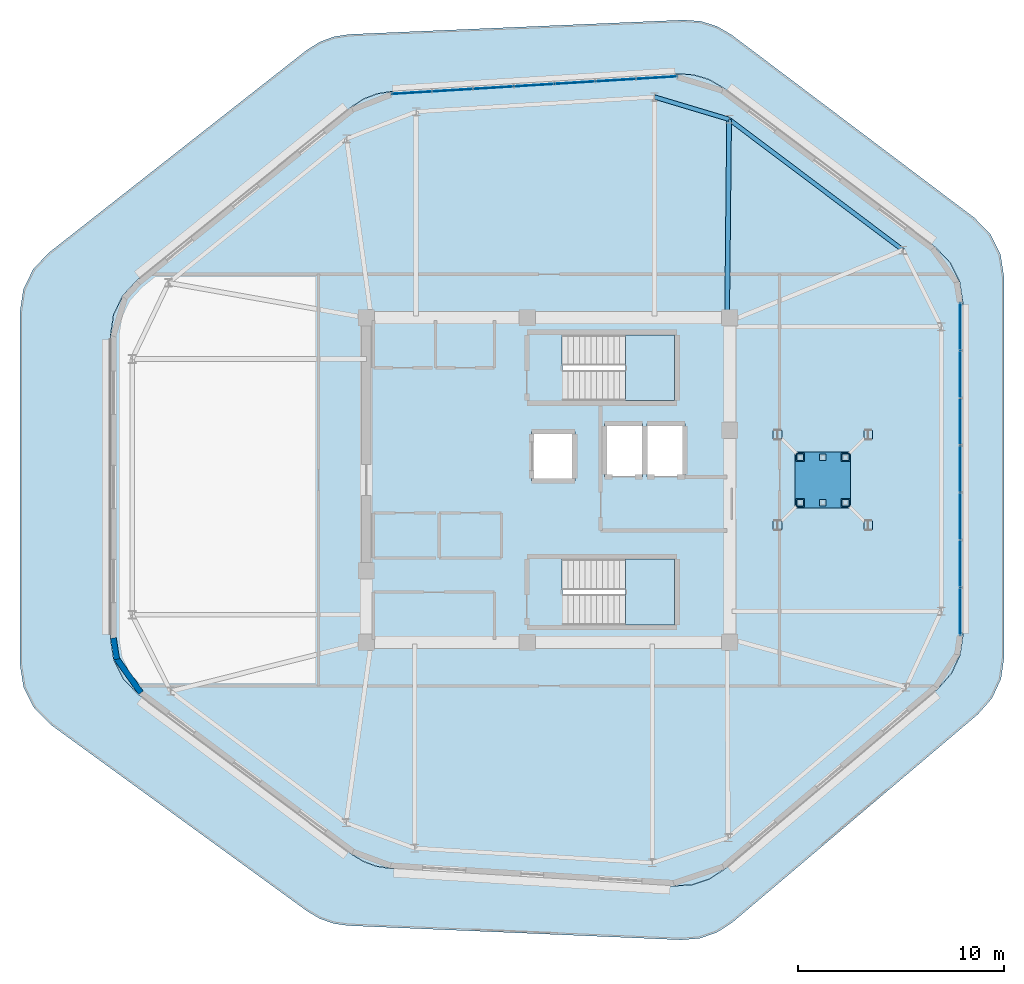
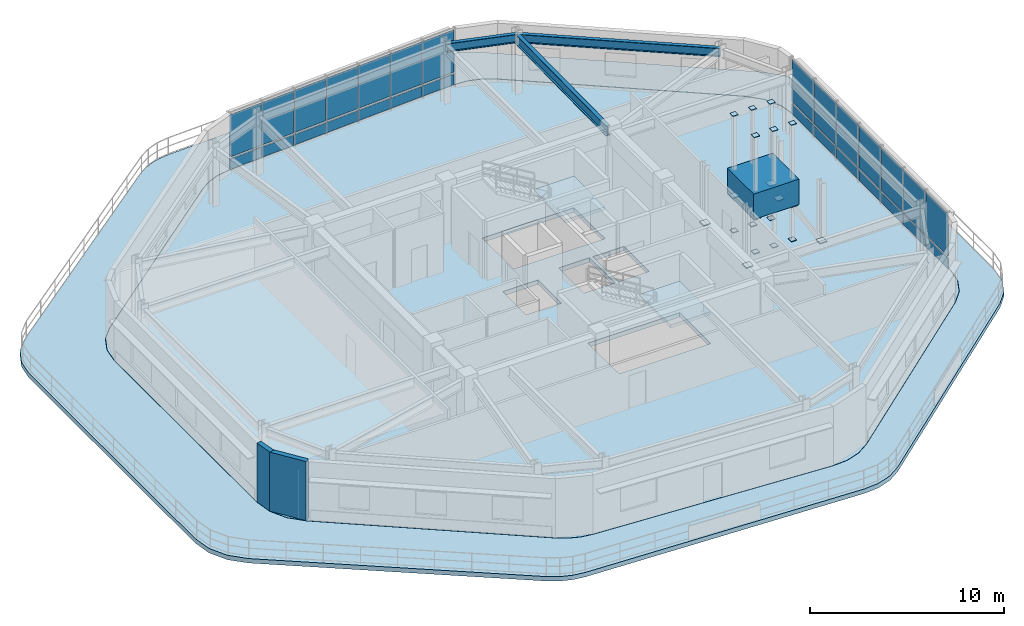
# One storey, part 7 of 13: 49 plates, 4 slabs, 3 beams, 2 walls, 4 elements without a shape of their own.
"""IFC4 building model written with IfcOpenShell, lengths in metres."""

import ifcopenshell
import ifcopenshell.guid

model = None  # the IFC model being written
_history = None  # IfcOwnerHistory: only IFC2X3 demands one
_inside = {}  # id of a spatial element -> (the spatial element, [elements in it])
_under = {}  # id of a project, library or spatial element -> (it, [spatial elements below it])
_declared = {}  # id of a project -> (the project, [libraries it declares])
_typed = {}  # id of a type object -> (the type object, [elements of that type])
_made_of = {}  # id of a material, layer set ... -> (it, [elements and type objects made of it])


def new_model(schema):
    """Start an empty IFC model of exactly this schema.

    Asked for "IFC4X3", IfcOpenShell would pick the latest addendum, in which some entities
    have other attributes; the version numbers below select the first issue.
    IFC2X3 requires an IfcOwnerHistory on every rooted entity: one is made here for all.
    """
    global model, _history
    if schema == "IFC4X3":
        model = ifcopenshell.file(schema_version=(4, 3, 0, 0))
    else:
        model = ifcopenshell.file(schema=schema)
    _inside.clear()
    _under.clear()
    _declared.clear()
    _typed.clear()
    _made_of.clear()
    _history = None
    if model.schema == "IFC2X3":
        org = make("IfcOrganization", Name="unknown")
        user = make(
            "IfcPersonAndOrganization",
            ThePerson=make("IfcPerson", FamilyName="unknown"),
            TheOrganization=org,
        )
        app = make(
            "IfcApplication",
            ApplicationDeveloper=org,
            Version="unknown",
            ApplicationFullName="unknown",
            ApplicationIdentifier="unknown",
        )
        _history = make(
            "IfcOwnerHistory",
            OwningUser=user,
            OwningApplication=app,
            ChangeAction="ADDED",
            CreationDate=0,
        )
    return model


def make(cls, **values):
    """One entity of the class cls with the attributes given. An attribute that is None is left unset."""
    return model.create_entity(
        cls, **{name: value for name, value in values.items() if value is not None}
    )


def rooted(cls, **values):
    """An entity with a GlobalId (a new one), such as an element, a storey or a relation."""
    return make(cls, GlobalId=ifcopenshell.guid.new(), OwnerHistory=_history, **values)


def si_unit(unit_type, name, prefix=None):
    """IfcSIUnit, for example si_unit("LENGTHUNIT", "METRE", prefix="MILLI")."""
    return make("IfcSIUnit", UnitType=unit_type, Prefix=prefix, Name=name)


def assignment(units):
    """IfcUnitAssignment: the units of a project."""
    return None if units is None else make("IfcUnitAssignment", Units=units)


def point(xyz):
    """IfcCartesianPoint."""
    return None if xyz is None else make("IfcCartesianPoint", Coordinates=xyz)


def direction(xyz):
    """IfcDirection."""
    return None if xyz is None else make("IfcDirection", DirectionRatios=xyz)


def frame(location, z_axis=None, x_axis=None):
    """IfcAxis2Placement3D, a coordinate frame: its origin and axes. An axis left out is left unset."""
    return make(
        "IfcAxis2Placement3D",
        Location=point(location),
        Axis=direction(z_axis),
        RefDirection=direction(x_axis),
    )


def frame_2d(location, x_axis=None):
    """IfcAxis2Placement2D, a coordinate frame in the plane: its origin and x axis."""
    return make(
        "IfcAxis2Placement2D", Location=point(location), RefDirection=direction(x_axis)
    )


def origin():
    """The frame at (0, 0, 0) with its axes left unset."""
    return frame((0.0, 0.0, 0.0))


def origin_2d():
    """The frame at (0, 0) in the plane with its x axis left unset."""
    return frame_2d((0.0, 0.0))


def place(relative_to, where):
    """IfcLocalPlacement: puts the frame where relative to a parent placement (None: the world)."""
    return make(
        "IfcLocalPlacement", PlacementRelTo=relative_to, RelativePlacement=where
    )


def context(
    kind, dimensions, precision=None, world=None, true_north=None, identifier=None
):
    """IfcGeometricRepresentationContext, for example the 3D "Model" context."""
    return make(
        "IfcGeometricRepresentationContext",
        ContextIdentifier=identifier,
        ContextType=kind,
        CoordinateSpaceDimension=dimensions,
        Precision=precision,
        WorldCoordinateSystem=world,
        TrueNorth=true_north,
    )


def subcontext(parent, identifier, kind, view, scale=None):
    """IfcGeometricRepresentationSubContext, for example "Body" below "Model"."""
    return make(
        "IfcGeometricRepresentationSubContext",
        ContextIdentifier=identifier,
        ContextType=kind,
        ParentContext=parent,
        TargetScale=scale,
        TargetView=view,
    )


def project(units=None, contexts=None):
    """IfcProject with its units and contexts."""
    return rooted(
        "IfcProject",
        Name="project",
        RepresentationContexts=contexts,
        UnitsInContext=assignment(units),
    )


def spatial(cls, under=None, at=None, **own):
    """A site, building, storey or space (cls), placed at a placement, below another one or the project."""
    s = rooted(cls, ObjectPlacement=at, **own)
    if under is not None:
        _under.setdefault(under.id(), (under, []))[1].append(s)
    return s


def polyline(points):
    """IfcPolyline through the points."""
    return make("IfcPolyline", Points=[point(p) for p in points])


def profile(cls, at=None, kind="AREA", **sizes):
    """A parametric profile (cls). Its sizes go by their IFC names, for example OverallWidth=200.0."""
    return make(cls, ProfileType=kind, Position=at, **sizes)


def rectangle(**sizes):
    """IfcRectangleProfileDef."""
    return profile("IfcRectangleProfileDef", **sizes)


def i_section(**sizes):
    """IfcIShapeProfileDef."""
    return profile("IfcIShapeProfileDef", **sizes)


def outline(outer, holes=None, kind="AREA"):
    """IfcArbitraryClosedProfileDef: a profile drawn as a closed curve; with holes, ...WithVoids."""
    if holes is None:
        return make("IfcArbitraryClosedProfileDef", ProfileType=kind, OuterCurve=outer)
    return make(
        "IfcArbitraryProfileDefWithVoids",
        ProfileType=kind,
        OuterCurve=outer,
        InnerCurves=holes,
    )


def extrude(swept, where, along, depth):
    """IfcExtrudedAreaSolid: the profile swept, set in the frame where, extruded along a direction by depth."""
    return make(
        "IfcExtrudedAreaSolid",
        SweptArea=swept,
        Position=where,
        ExtrudedDirection=direction(along),
        Depth=depth,
    )


def shape(context_of_items, identifier, shape_type, items):
    """IfcShapeRepresentation: the items that make up one representation, for example the "Body"."""
    return make(
        "IfcShapeRepresentation",
        ContextOfItems=context_of_items,
        RepresentationIdentifier=identifier,
        RepresentationType=shape_type,
        Items=items,
    )


def material(Name=None, Category=None):
    """IfcMaterial."""
    return make("IfcMaterial", Name=Name, Category=Category)


def layer(
    of_material, thickness, ventilated=None, Name=None, Category=None, Priority=None
):
    """IfcMaterialLayer: one layer of a wall or slab, of a material (None: an air gap)."""
    return make(
        "IfcMaterialLayer",
        Material=of_material,
        LayerThickness=thickness,
        IsVentilated=ventilated,
        Name=Name,
        Category=Category,
        Priority=Priority,
    )


def layer_set(layers, Name=None):
    """IfcMaterialLayerSet."""
    return make("IfcMaterialLayerSet", MaterialLayers=layers, LayerSetName=Name)


def material_profile(
    of_material, cross_section, Name=None, Category=None, Priority=None
):
    """IfcMaterialProfile: a cross section and its material."""
    return make(
        "IfcMaterialProfile",
        Name=Name,
        Material=of_material,
        Profile=cross_section,
        Priority=Priority,
        Category=Category,
    )


def profile_set(profiles, Name=None, composite=None):
    """IfcMaterialProfileSet."""
    return make(
        "IfcMaterialProfileSet",
        Name=Name,
        MaterialProfiles=profiles,
        CompositeProfile=composite,
    )


def made_of(thing, what):
    """Note that an element or type object is made of a material, layer set ...; save() writes the relation."""
    if what is not None:
        _made_of.setdefault(what.id(), (what, []))[1].append(thing)
    return thing


def type_object(cls, material=None, **own):
    """A type object (cls), such as IfcWallType, which elements share."""
    return made_of(rooted(cls, **own), material)


def element(
    cls,
    number,
    at=None,
    inside=None,
    cuts=None,
    type_object=None,
    material=None,
    context=None,
    identifier="Body",
    shape_type=None,
    held_by="IfcProductDefinitionShape",
    body=None,
    shapes=None,
    **own,
):
    """One element of the class cls, such as IfcWall. Its Tag is "e" and its number.

    at: its placement. inside: the storey or other place that contains it. cuts: it is an
    opening in that element (IfcRelVoidsElement). A single representation is given by context,
    identifier, shape_type and body (its items); several are given by shapes. held_by: the class
    of the entity that holds the representations. save() writes the other relations.
    """
    e = rooted(cls, Tag="e%d" % number, ObjectPlacement=at, **own)
    if body is not None:
        shapes = [shape(context, identifier, shape_type, body)]
    if shapes is not None:
        e.Representation = make(held_by, Representations=shapes)
    if inside is not None:
        _inside.setdefault(inside.id(), (inside, []))[1].append(e)
    if cuts is not None:
        rooted(
            "IfcRelVoidsElement", RelatingBuildingElement=cuts, RelatedOpeningElement=e
        )
    if type_object is not None:
        _typed.setdefault(type_object.id(), (type_object, []))[1].append(e)
    return made_of(e, material)


def aggregate(whole, parts):
    """IfcRelAggregates: a whole, such as a stair, and the parts it consists of."""
    return rooted("IfcRelAggregates", RelatingObject=whole, RelatedObjects=parts)


def save(model, path):
    """Write the relations noted so far, then the file.

    IfcRelAggregates (storeys below a building ...), IfcRelContainedInSpatialStructure (elements
    in a storey), IfcRelDefinesByType, IfcRelAssociatesMaterial and IfcRelDeclares: one each for
    every whole, place, type object, material and project.
    """
    for whole, parts in _under.values():
        aggregate(whole, parts)
    for where, things in _inside.values():
        rooted(
            "IfcRelContainedInSpatialStructure",
            RelatedElements=things,
            RelatingStructure=where,
        )
    for kind, things in _typed.values():
        rooted("IfcRelDefinesByType", RelatedObjects=things, RelatingType=kind)
    for what, things in _made_of.values():
        rooted("IfcRelAssociatesMaterial", RelatedObjects=things, RelatingMaterial=what)
    for by, libraries in _declared.values():
        rooted("IfcRelDeclares", RelatingContext=by, RelatedDefinitions=libraries)
    model.write(path)


model = new_model("IFC4")

# Units and contexts
model_context = context("Model", 3, precision=1e-05, world=origin(), true_north=direction((0.0, 1.0)))
body_context = subcontext(model_context, "Body", "Model", "MODEL_VIEW")
ifc_project = project(units=[si_unit("LENGTHUNIT", "METRE"), si_unit("AREAUNIT", "SQUARE_METRE"), si_unit("VOLUMEUNIT", "CUBIC_METRE"), si_unit("PLANEANGLEUNIT", "RADIAN"), si_unit("MASSUNIT", "GRAM", prefix="KILO")], contexts=[model_context])

# Site, building, storey
site_placement = place(None, origin())
site = spatial("IfcSite", under=ifc_project, at=site_placement, CompositionType="ELEMENT")
building_placement = place(site_placement, origin())
building = spatial("IfcBuilding", under=site, at=building_placement, Name="Zulverin Broadcast Headquarters", CompositionType="ELEMENT")
storey_placement = place(building_placement, frame((0.0, 0.0, 313.39990234375)))
storey = spatial("IfcBuildingStorey", under=building, at=storey_placement, Name="C1", CompositionType="ELEMENT", Elevation=313.39990234375)

# Beams
ifc_material_1 = material(Name="Structural steel S355JR", Category="steel")
ifc_material_profile_1 = material_profile(ifc_material_1, i_section(OverallWidth=0.2119140625, OverallDepth=0.54443359375, WebThickness=0.0126953125, FlangeThickness=0.021240234375, at=origin_2d()), Name="Structural steel S355JR", Category="steel")
ifc_profile_set_1 = profile_set([ifc_material_profile_1], Name="Structural steel S355JR")
beam_type_1 = type_object("IfcBeamType", Name="BM-UB-533", PredefinedType="SPANDREL", material=ifc_profile_set_1)
beam_1_placement = place(storey_placement, frame((56.692626953125, 36.36767578125, 3.447998046875), z_axis=(-0.799353528712, 0.600860995684, 0.0), x_axis=(-0.600860995684, -0.799353528712, 0.0)))
element("IfcBeam", 1, at=beam_1_placement, inside=storey, type_object=beam_type_1, Name="C1 Perimeter Spandrel Beam SP-07", PredefinedType="SPANDREL", context=body_context, shape_type="SweptSolid", body=[
    extrude(i_section(OverallWidth=0.2119140625, OverallDepth=0.54443359375, WebThickness=0.0126953125, FlangeThickness=0.021240234375, at=origin_2d()), origin(), (0.0, 0.0, 1.0), 10.566650390625),
])
beam_2_placement = place(storey_placement, frame((48.24609375, 42.716796875, 3.447998046875), z_axis=(-0.957806746648, 0.287413006102, 0.0), x_axis=(-0.287413006102, -0.957806746648, 0.0)))
element("IfcBeam", 2, at=beam_2_placement, inside=storey, type_object=beam_type_1, Name="C1 Perimeter Spandrel Beam SP-08", PredefinedType="SPANDREL", context=body_context, shape_type="SweptSolid", body=[
    extrude(i_section(OverallWidth=0.2119140625, OverallDepth=0.54443359375, WebThickness=0.0126953125, FlangeThickness=0.021240234375, at=origin_2d()), origin(), (0.0, 0.0, 1.0), 3.783447265625),
])
ifc_material_profile_2 = material_profile(ifc_material_1, i_section(OverallWidth=0.230224609375, OverallDepth=0.6171875, WebThickness=0.01318359375, FlangeThickness=0.022216796875, at=origin_2d()), Name="Structural steel S355JR", Category="steel")
ifc_profile_set_2 = profile_set([ifc_material_profile_2], Name="Structural steel S355JR")
beam_type_2 = type_object("IfcBeamType", Name="BM-UB-610", PredefinedType="BEAM", material=ifc_profile_set_2)
beam_3_placement = place(storey_placement, frame((48.14990234375, 33.175048828125, 3.411376953125), z_axis=(0.010080597207, 0.999949189489, 0.0), x_axis=(-0.999949189489, 0.010080597207, 0.0)))
element("IfcBeam", 3, at=beam_3_placement, inside=storey, type_object=beam_type_2, Name="C1 Radial Primary Floor Beam RB-08", PredefinedType="BEAM", context=body_context, shape_type="SweptSolid", body=[
    extrude(i_section(OverallWidth=0.230224609375, OverallDepth=0.6171875, WebThickness=0.01318359375, FlangeThickness=0.022216796875, at=origin_2d()), origin(), (0.0, 0.0, 1.0), 9.542236328125),
])

# Curtain wall, plates
ifc_material_2 = material(Name="Crown damper-hall structural glass curtain wall", Category="glass")
curtain_wall_type = type_object("IfcCurtainWallType", Name="CW-CRN", PredefinedType="USERDEFINED", material=ifc_material_2)
curtain_wall_1_placement = place(storey_placement, origin())
curtain_wall_1 = element("IfcCurtainWall", 4, at=curtain_wall_1_placement, inside=storey, type_object=curtain_wall_type, Name="C1 Unitised Curtain Wall CW-C1-E3", ObjectType="UNITISED CURTAIN WALL", PredefinedType="USERDEFINED")
ifc_material_3 = material(Name="Low-E double-glazed pale-silver vision glass", Category="glass")
ifc_layer_1 = layer(ifc_material_3, 0.035888671875, Name="Low-E double-glazed pale-silver vision glass", Category="glass")
ifc_layer_set_1 = layer_set([ifc_layer_1], Name="Low-E double-glazed pale-silver vision glass")
plate_type_1 = type_object("IfcPlateType", Name="CW-PNL-GLZ", PredefinedType="CURTAIN_PANEL", material=ifc_layer_set_1)
plate_1_placement = place(storey_placement, frame((59.47998046875, 18.821533203125, 0.9150390625), z_axis=(0.0, 0.0, 1.0), x_axis=(0.0, 1.0, 0.0)))
plate_1 = element("IfcPlate", 5, at=plate_1_placement, type_object=plate_type_1, Name="CW-C1-E3 Vision Panel 00", PredefinedType="CURTAIN_PANEL", context=body_context, shape_type="SweptSolid", body=[
    extrude(rectangle(XDim=2.26416015625, YDim=0.035888671875, at=origin_2d()), origin(), (0.0, 0.0, 1.0), 2.6650390625),
])
plate_2_placement = place(storey_placement, frame((59.47998046875, 21.125732421875, 0.9150390625), z_axis=(0.0, 0.0, 1.0), x_axis=(0.0, 1.0, 0.0)))
plate_2 = element("IfcPlate", 6, at=plate_2_placement, type_object=plate_type_1, Name="CW-C1-E3 Vision Panel 01", PredefinedType="CURTAIN_PANEL", context=body_context, shape_type="SweptSolid", body=[
    extrude(rectangle(XDim=2.26416015625, YDim=0.035888671875, at=origin_2d()), origin(), (0.0, 0.0, 1.0), 2.6650390625),
])
plate_3_placement = place(storey_placement, frame((59.47998046875, 23.4296875, 0.9150390625), z_axis=(0.0, 0.0, 1.0), x_axis=(0.0, 1.0, 0.0)))
plate_3 = element("IfcPlate", 7, at=plate_3_placement, type_object=plate_type_1, Name="CW-C1-E3 Vision Panel 02", PredefinedType="CURTAIN_PANEL", context=body_context, shape_type="SweptSolid", body=[
    extrude(rectangle(XDim=2.26416015625, YDim=0.035888671875, at=origin_2d()), origin(), (0.0, 0.0, 1.0), 2.6650390625),
])
plate_4_placement = place(storey_placement, frame((59.47998046875, 25.73388671875, 0.9150390625), z_axis=(0.0, 0.0, 1.0), x_axis=(0.0, 1.0, 0.0)))
plate_4 = element("IfcPlate", 8, at=plate_4_placement, type_object=plate_type_1, Name="CW-C1-E3 Vision Panel 03", PredefinedType="CURTAIN_PANEL", context=body_context, shape_type="SweptSolid", body=[
    extrude(rectangle(XDim=2.26416015625, YDim=0.035888671875, at=origin_2d()), origin(), (0.0, 0.0, 1.0), 2.6650390625),
])
plate_5_placement = place(storey_placement, frame((59.47998046875, 28.0380859375, 0.9150390625), z_axis=(0.0, 0.0, 1.0), x_axis=(0.0, 1.0, 0.0)))
plate_5 = element("IfcPlate", 9, at=plate_5_placement, type_object=plate_type_1, Name="CW-C1-E3 Vision Panel 04", PredefinedType="CURTAIN_PANEL", context=body_context, shape_type="SweptSolid", body=[
    extrude(rectangle(XDim=2.26416015625, YDim=0.035888671875, at=origin_2d()), origin(), (0.0, 0.0, 1.0), 2.6650390625),
])
plate_6_placement = place(storey_placement, frame((59.47998046875, 30.342041015625, 0.9150390625), z_axis=(0.0, 0.0, 1.0), x_axis=(0.0, 1.0, 0.0)))
plate_6 = element("IfcPlate", 10, at=plate_6_placement, type_object=plate_type_1, Name="CW-C1-E3 Vision Panel 05", PredefinedType="CURTAIN_PANEL", context=body_context, shape_type="SweptSolid", body=[
    extrude(rectangle(XDim=2.26416015625, YDim=0.035888671875, at=origin_2d()), origin(), (0.0, 0.0, 1.0), 2.6650390625),
])
plate_7_placement = place(storey_placement, frame((59.47998046875, 32.646240234375, 0.9150390625), z_axis=(0.0, 0.0, 1.0), x_axis=(0.0, 1.0, 0.0)))
plate_7 = element("IfcPlate", 11, at=plate_7_placement, type_object=plate_type_1, Name="CW-C1-E3 Vision Panel 06", PredefinedType="CURTAIN_PANEL", context=body_context, shape_type="SweptSolid", body=[
    extrude(rectangle(XDim=2.26416015625, YDim=0.035888671875, at=origin_2d()), origin(), (0.0, 0.0, 1.0), 2.6650390625),
])

curtain_wall_2_placement = place(storey_placement, origin())
curtain_wall_2 = element("IfcCurtainWall", 12, at=curtain_wall_2_placement, inside=storey, type_object=curtain_wall_type, Name="C1 Unitised Curtain Wall CW-C1-E5", ObjectType="UNITISED CURTAIN WALL", PredefinedType="USERDEFINED")
plate_8_placement = place(storey_placement, frame((44.7216796875, 44.741943359375, 0.9150390625), z_axis=(0.0, 0.0, 1.0), x_axis=(-0.998102804121, -0.061569411283, 0.0)))
plate_8 = element("IfcPlate", 13, at=plate_8_placement, type_object=plate_type_1, Name="CW-C1-E5 Vision Panel 00", PredefinedType="CURTAIN_PANEL", context=body_context, shape_type="SweptSolid", body=[
    extrude(rectangle(XDim=1.946044921875, YDim=0.035888671875, at=origin_2d()), origin(), (0.0, 0.0, 1.0), 2.6650390625),
])
plate_9_placement = place(storey_placement, frame((42.7392578125, 44.61962890625, 0.9150390625), z_axis=(0.0, 0.0, 1.0), x_axis=(-0.998102804121, -0.061569411283, 0.0)))
plate_9 = element("IfcPlate", 14, at=plate_9_placement, type_object=plate_type_1, Name="CW-C1-E5 Vision Panel 01", PredefinedType="CURTAIN_PANEL", context=body_context, shape_type="SweptSolid", body=[
    extrude(rectangle(XDim=1.946044921875, YDim=0.035888671875, at=origin_2d()), origin(), (0.0, 0.0, 1.0), 2.6650390625),
])
plate_10_placement = place(storey_placement, frame((40.7568359375, 44.497314453125, 0.9150390625), z_axis=(0.0, 0.0, 1.0), x_axis=(-0.998102804121, -0.061569411283, 0.0)))
plate_10 = element("IfcPlate", 15, at=plate_10_placement, type_object=plate_type_1, Name="CW-C1-E5 Vision Panel 02", PredefinedType="CURTAIN_PANEL", context=body_context, shape_type="SweptSolid", body=[
    extrude(rectangle(XDim=1.946044921875, YDim=0.035888671875, at=origin_2d()), origin(), (0.0, 0.0, 1.0), 2.6650390625),
])
plate_11_placement = place(storey_placement, frame((38.7744140625, 44.375, 0.9150390625), z_axis=(0.0, 0.0, 1.0), x_axis=(-0.998102804121, -0.061569411283, 0.0)))
plate_11 = element("IfcPlate", 16, at=plate_11_placement, type_object=plate_type_1, Name="CW-C1-E5 Vision Panel 03", PredefinedType="CURTAIN_PANEL", context=body_context, shape_type="SweptSolid", body=[
    extrude(rectangle(XDim=1.946044921875, YDim=0.035888671875, at=origin_2d()), origin(), (0.0, 0.0, 1.0), 2.6650390625),
])
plate_12_placement = place(storey_placement, frame((36.7919921875, 44.252685546875, 0.9150390625), z_axis=(0.0, 0.0, 1.0), x_axis=(-0.998102804121, -0.061569411283, 0.0)))
plate_12 = element("IfcPlate", 17, at=plate_12_placement, type_object=plate_type_1, Name="CW-C1-E5 Vision Panel 04", PredefinedType="CURTAIN_PANEL", context=body_context, shape_type="SweptSolid", body=[
    extrude(rectangle(XDim=1.946044921875, YDim=0.035888671875, at=origin_2d()), origin(), (0.0, 0.0, 1.0), 2.6650390625),
])
plate_13_placement = place(storey_placement, frame((34.809814453125, 44.130615234375, 0.9150390625), z_axis=(0.0, 0.0, 1.0), x_axis=(-0.998102804121, -0.061569411283, 0.0)))
plate_13 = element("IfcPlate", 18, at=plate_13_placement, type_object=plate_type_1, Name="CW-C1-E5 Vision Panel 05", PredefinedType="CURTAIN_PANEL", context=body_context, shape_type="SweptSolid", body=[
    extrude(rectangle(XDim=1.946044921875, YDim=0.035888671875, at=origin_2d()), origin(), (0.0, 0.0, 1.0), 2.6650390625),
])
plate_14_placement = place(storey_placement, frame((32.827392578125, 44.00830078125, 0.9150390625), z_axis=(0.0, 0.0, 1.0), x_axis=(-0.998102804121, -0.061569411283, 0.0)))
plate_14 = element("IfcPlate", 19, at=plate_14_placement, type_object=plate_type_1, Name="CW-C1-E5 Vision Panel 06", PredefinedType="CURTAIN_PANEL", context=body_context, shape_type="SweptSolid", body=[
    extrude(rectangle(XDim=1.946044921875, YDim=0.035888671875, at=origin_2d()), origin(), (0.0, 0.0, 1.0), 2.6650390625),
])

# Plate
ifc_material_4 = material(Name="Insulated brushed pale-aluminium spandrel cassette", Category="aluminium")
ifc_layer_2 = layer(ifc_material_4, 0.050048828125, Name="Insulated brushed pale-aluminium spandrel cassette", Category="aluminium")
ifc_layer_set_2 = layer_set([ifc_layer_2], Name="Insulated brushed pale-aluminium spandrel cassette")
plate_type_2 = type_object("IfcPlateType", Name="CW-PNL-SPN", PredefinedType="CURTAIN_PANEL", material=ifc_layer_set_2)
plate_15_placement = place(storey_placement, frame((59.47998046875, 18.821533203125, 0.14013671875), z_axis=(0.0, 0.0, 1.0), x_axis=(0.0, 1.0, 0.0)))
plate_15 = element("IfcPlate", 20, at=plate_15_placement, type_object=plate_type_2, Name="CW-C1-E3 Spandrel Cassette 00", PredefinedType="CURTAIN_PANEL", context=body_context, shape_type="SweptSolid", body=[
    extrude(rectangle(XDim=2.26416015625, YDim=0.050048828125, at=origin_2d()), origin(), (0.0, 0.0, 1.0), 0.64501953125),
])

plate_16_placement = place(storey_placement, frame((59.47998046875, 21.125732421875, 0.14013671875), z_axis=(0.0, 0.0, 1.0), x_axis=(0.0, 1.0, 0.0)))
plate_16 = element("IfcPlate", 21, at=plate_16_placement, type_object=plate_type_2, Name="CW-C1-E3 Spandrel Cassette 01", PredefinedType="CURTAIN_PANEL", context=body_context, shape_type="SweptSolid", body=[
    extrude(rectangle(XDim=2.26416015625, YDim=0.050048828125, at=origin_2d()), origin(), (0.0, 0.0, 1.0), 0.64501953125),
])

plate_17_placement = place(storey_placement, frame((59.47998046875, 23.4296875, 0.14013671875), z_axis=(0.0, 0.0, 1.0), x_axis=(0.0, 1.0, 0.0)))
plate_17 = element("IfcPlate", 22, at=plate_17_placement, type_object=plate_type_2, Name="CW-C1-E3 Spandrel Cassette 02", PredefinedType="CURTAIN_PANEL", context=body_context, shape_type="SweptSolid", body=[
    extrude(rectangle(XDim=2.26416015625, YDim=0.050048828125, at=origin_2d()), origin(), (0.0, 0.0, 1.0), 0.64501953125),
])

plate_18_placement = place(storey_placement, frame((59.47998046875, 25.73388671875, 0.14013671875), z_axis=(0.0, 0.0, 1.0), x_axis=(0.0, 1.0, 0.0)))
plate_18 = element("IfcPlate", 23, at=plate_18_placement, type_object=plate_type_2, Name="CW-C1-E3 Spandrel Cassette 03", PredefinedType="CURTAIN_PANEL", context=body_context, shape_type="SweptSolid", body=[
    extrude(rectangle(XDim=2.26416015625, YDim=0.050048828125, at=origin_2d()), origin(), (0.0, 0.0, 1.0), 0.64501953125),
])

plate_19_placement = place(storey_placement, frame((59.47998046875, 28.0380859375, 0.14013671875), z_axis=(0.0, 0.0, 1.0), x_axis=(0.0, 1.0, 0.0)))
plate_19 = element("IfcPlate", 24, at=plate_19_placement, type_object=plate_type_2, Name="CW-C1-E3 Spandrel Cassette 04", PredefinedType="CURTAIN_PANEL", context=body_context, shape_type="SweptSolid", body=[
    extrude(rectangle(XDim=2.26416015625, YDim=0.050048828125, at=origin_2d()), origin(), (0.0, 0.0, 1.0), 0.64501953125),
])

plate_20_placement = place(storey_placement, frame((59.47998046875, 30.342041015625, 0.14013671875), z_axis=(0.0, 0.0, 1.0), x_axis=(0.0, 1.0, 0.0)))
plate_20 = element("IfcPlate", 25, at=plate_20_placement, type_object=plate_type_2, Name="CW-C1-E3 Spandrel Cassette 05", PredefinedType="CURTAIN_PANEL", context=body_context, shape_type="SweptSolid", body=[
    extrude(rectangle(XDim=2.26416015625, YDim=0.050048828125, at=origin_2d()), origin(), (0.0, 0.0, 1.0), 0.64501953125),
])

plate_21_placement = place(storey_placement, frame((59.47998046875, 32.646240234375, 0.14013671875), z_axis=(0.0, 0.0, 1.0), x_axis=(0.0, 1.0, 0.0)))
plate_21 = element("IfcPlate", 26, at=plate_21_placement, type_object=plate_type_2, Name="CW-C1-E3 Spandrel Cassette 06", PredefinedType="CURTAIN_PANEL", context=body_context, shape_type="SweptSolid", body=[
    extrude(rectangle(XDim=2.26416015625, YDim=0.050048828125, at=origin_2d()), origin(), (0.0, 0.0, 1.0), 0.64501953125),
])

aggregate(curtain_wall_1, [plate_15, plate_1, plate_16, plate_2, plate_17, plate_3, plate_18, plate_4, plate_19, plate_5, plate_20, plate_6, plate_21, plate_7])

plate_22_placement = place(storey_placement, frame((44.7216796875, 44.741943359375, 0.14013671875), z_axis=(0.0, 0.0, 1.0), x_axis=(-0.998102804121, -0.061569411283, 0.0)))
plate_22 = element("IfcPlate", 27, at=plate_22_placement, type_object=plate_type_2, Name="CW-C1-E5 Spandrel Cassette 00", PredefinedType="CURTAIN_PANEL", context=body_context, shape_type="SweptSolid", body=[
    extrude(rectangle(XDim=1.946044921875, YDim=0.050048828125, at=origin_2d()), origin(), (0.0, 0.0, 1.0), 0.64501953125),
])

plate_23_placement = place(storey_placement, frame((42.7392578125, 44.61962890625, 0.14013671875), z_axis=(0.0, 0.0, 1.0), x_axis=(-0.998102804121, -0.061569411283, 0.0)))
plate_23 = element("IfcPlate", 28, at=plate_23_placement, type_object=plate_type_2, Name="CW-C1-E5 Spandrel Cassette 01", PredefinedType="CURTAIN_PANEL", context=body_context, shape_type="SweptSolid", body=[
    extrude(rectangle(XDim=1.946044921875, YDim=0.050048828125, at=origin_2d()), origin(), (0.0, 0.0, 1.0), 0.64501953125),
])

plate_24_placement = place(storey_placement, frame((40.7568359375, 44.497314453125, 0.14013671875), z_axis=(0.0, 0.0, 1.0), x_axis=(-0.998102804121, -0.061569411283, 0.0)))
plate_24 = element("IfcPlate", 29, at=plate_24_placement, type_object=plate_type_2, Name="CW-C1-E5 Spandrel Cassette 02", PredefinedType="CURTAIN_PANEL", context=body_context, shape_type="SweptSolid", body=[
    extrude(rectangle(XDim=1.946044921875, YDim=0.050048828125, at=origin_2d()), origin(), (0.0, 0.0, 1.0), 0.64501953125),
])

plate_25_placement = place(storey_placement, frame((38.7744140625, 44.375, 0.14013671875), z_axis=(0.0, 0.0, 1.0), x_axis=(-0.998102804121, -0.061569411283, 0.0)))
plate_25 = element("IfcPlate", 30, at=plate_25_placement, type_object=plate_type_2, Name="CW-C1-E5 Spandrel Cassette 03", PredefinedType="CURTAIN_PANEL", context=body_context, shape_type="SweptSolid", body=[
    extrude(rectangle(XDim=1.946044921875, YDim=0.050048828125, at=origin_2d()), origin(), (0.0, 0.0, 1.0), 0.64501953125),
])

plate_26_placement = place(storey_placement, frame((36.7919921875, 44.252685546875, 0.14013671875), z_axis=(0.0, 0.0, 1.0), x_axis=(-0.998102804121, -0.061569411283, 0.0)))
plate_26 = element("IfcPlate", 31, at=plate_26_placement, type_object=plate_type_2, Name="CW-C1-E5 Spandrel Cassette 04", PredefinedType="CURTAIN_PANEL", context=body_context, shape_type="SweptSolid", body=[
    extrude(rectangle(XDim=1.946044921875, YDim=0.050048828125, at=origin_2d()), origin(), (0.0, 0.0, 1.0), 0.64501953125),
])

plate_27_placement = place(storey_placement, frame((34.809814453125, 44.130615234375, 0.14013671875), z_axis=(0.0, 0.0, 1.0), x_axis=(-0.998102804121, -0.061569411283, 0.0)))
plate_27 = element("IfcPlate", 32, at=plate_27_placement, type_object=plate_type_2, Name="CW-C1-E5 Spandrel Cassette 05", PredefinedType="CURTAIN_PANEL", context=body_context, shape_type="SweptSolid", body=[
    extrude(rectangle(XDim=1.946044921875, YDim=0.050048828125, at=origin_2d()), origin(), (0.0, 0.0, 1.0), 0.64501953125),
])

plate_28_placement = place(storey_placement, frame((32.827392578125, 44.00830078125, 0.14013671875), z_axis=(0.0, 0.0, 1.0), x_axis=(-0.998102804121, -0.061569411283, 0.0)))
plate_28 = element("IfcPlate", 33, at=plate_28_placement, type_object=plate_type_2, Name="CW-C1-E5 Spandrel Cassette 06", PredefinedType="CURTAIN_PANEL", context=body_context, shape_type="SweptSolid", body=[
    extrude(rectangle(XDim=1.946044921875, YDim=0.050048828125, at=origin_2d()), origin(), (0.0, 0.0, 1.0), 0.64501953125),
])

aggregate(curtain_wall_2, [plate_22, plate_8, plate_23, plate_9, plate_24, plate_10, plate_25, plate_11, plate_26, plate_12, plate_27, plate_13, plate_28, plate_14])

# Plates
ifc_layer_3 = layer(ifc_material_1, 0.030029296875, Name="Structural steel S355JR", Category="steel")
ifc_layer_set_3 = layer_set([ifc_layer_3], Name="Structural steel S355JR")
plate_type_3 = type_object("IfcPlateType", Name="PLT-NODE-SBN2", PredefinedType="SHEET", material=ifc_layer_set_3)
for number, where, z_axis, x_axis, name in (
    (34, (51.699951171875, 24.10009765625, 0.02490234375), (0.0, 0.0, 1.0), (1.0, 0.0, 0.0), "SBN-2 Damper Guide Base Plate 1"),
    (35, (51.699951171875, 24.10009765625, 7.35498046875), (0.0, 0.0, 1.0), (1.0, 0.0, 0.0), "SBN-2 Damper Guide Upper Cap Plate 1"),
    (36, (53.89990234375, 24.10009765625, 0.02490234375), (0.0, 0.0, 1.0), (1.0, 0.0, 0.0), "SBN-2 Damper Guide Base Plate 2"),
    (37, (53.89990234375, 24.10009765625, 7.35498046875), (0.0, 0.0, 1.0), (1.0, 0.0, 0.0), "SBN-2 Damper Guide Upper Cap Plate 2"),
    (38, (53.89990234375, 26.300048828125, 0.02490234375), (0.0, 0.0, 1.0), (1.0, 0.0, 0.0), "SBN-2 Damper Guide Base Plate 3"),
    (39, (53.89990234375, 26.300048828125, 7.35498046875), (0.0, 0.0, 1.0), (1.0, 0.0, 0.0), "SBN-2 Damper Guide Upper Cap Plate 3"),
    (40, (51.699951171875, 26.300048828125, 0.02490234375), (0.0, 0.0, 1.0), (1.0, 0.0, 0.0), "SBN-2 Damper Guide Base Plate 4"),
    (41, (51.699951171875, 26.300048828125, 7.35498046875), (0.0, 0.0, 1.0), (1.0, 0.0, 0.0), "SBN-2 Damper Guide Upper Cap Plate 4"),
    (42, (52.800048828125, 24.10009765625, 0.02490234375), (0.0, 0.0, 1.0), (1.0, 0.0, 0.0), "SBN-2 Damper Guide Lower Cap Plate 5"),
    (43, (52.800048828125, 24.10009765625, 7.35498046875), (0.0, 0.0, 1.0), (1.0, 0.0, 0.0), "SBN-2 Damper Guide Upper Cap Plate 5"),
    (44, (52.800048828125, 26.300048828125, 0.02490234375), (0.0, 0.0, 1.0), (1.0, 0.0, 0.0), "SBN-2 Damper Guide Lower Cap Plate 6"),
    (45, (52.800048828125, 26.300048828125, 7.35498046875), (0.0, 0.0, 1.0), (1.0, 0.0, 0.0), "SBN-2 Damper Guide Upper Cap Plate 6"),
):
    element("IfcPlate", number, at=place(storey_placement, frame(where, z_axis=z_axis, x_axis=x_axis)), inside=storey, type_object=plate_type_3, Name=name, PredefinedType="SHEET", context=body_context, shape_type="SweptSolid", body=[
        extrude(rectangle(XDim=0.320068359375, YDim=0.320068359375, at=origin_2d()), origin(), (0.0, 0.0, 1.0), 0.030029296875),
    ])
ifc_layer_4 = layer(ifc_material_1, 0.0400390625, Name="Structural steel S355JR", Category="steel")
ifc_layer_set_4 = layer_set([ifc_layer_4], Name="Structural steel S355JR")
plate_type_4 = type_object("IfcPlateType", Name="PLT-NODE-SBN3", PredefinedType="SHEET", material=ifc_layer_set_4)
for number, where, z_axis, x_axis, name in (
    (46, (50.60009765625, 23.0, 0.22998046875), (0.0, 0.0, 1.0), (1.0, 0.0, 0.0), "SBN-3 Damper Strut Base Plate 1"),
    (47, (51.699951171875, 24.10009765625, 2.219970703125), (0.0, 0.0, 1.0), (1.0, 0.0, 0.0), "SBN-3 Damper Strut Head Plate 1"),
    (48, (55.0, 23.0, 0.22998046875), (0.0, 0.0, 1.0), (1.0, 0.0, 0.0), "SBN-3 Damper Strut Base Plate 2"),
    (49, (53.89990234375, 24.10009765625, 2.219970703125), (0.0, 0.0, 1.0), (1.0, 0.0, 0.0), "SBN-3 Damper Strut Head Plate 2"),
    (50, (55.0, 27.39990234375, 0.22998046875), (0.0, 0.0, 1.0), (1.0, 0.0, 0.0), "SBN-3 Damper Strut Base Plate 3"),
    (51, (53.89990234375, 26.300048828125, 2.219970703125), (0.0, 0.0, 1.0), (1.0, 0.0, 0.0), "SBN-3 Damper Strut Head Plate 3"),
    (52, (50.60009765625, 27.39990234375, 0.22998046875), (0.0, 0.0, 1.0), (1.0, 0.0, 0.0), "SBN-3 Damper Strut Base Plate 4"),
    (53, (51.699951171875, 26.300048828125, 2.219970703125), (0.0, 0.0, 1.0), (1.0, 0.0, 0.0), "SBN-3 Damper Strut Head Plate 4"),
):
    element("IfcPlate", number, at=place(storey_placement, frame(where, z_axis=z_axis, x_axis=x_axis)), inside=storey, type_object=plate_type_4, Name=name, PredefinedType="SHEET", context=body_context, shape_type="SweptSolid", body=[
        extrude(rectangle(XDim=0.419921875, YDim=0.419921875, at=origin_2d()), origin(), (0.0, 0.0, 1.0), 0.0400390625),
    ])
ifc_layer_5 = layer(ifc_material_1, 1.60009765625, Name="Structural steel S355JR", Category="steel")
ifc_layer_set_5 = layer_set([ifc_layer_5], Name="Structural steel S355JR")
plate_type_5 = type_object("IfcPlateType", Name="PLT-TMD-MASS", PredefinedType="USERDEFINED", material=ifc_layer_set_5)
plate_29_placement = place(storey_placement, frame((52.800048828125, 25.199951171875, 2.300048828125), z_axis=(0.0, 0.0, 1.0), x_axis=(1.0, 0.0, 0.0)))
element("IfcPlate", 54, at=plate_29_placement, inside=storey, type_object=plate_type_5, Name="Tuned Mass Damper 380t Steel Mass Block TMD-1", ObjectType="DAMPER MASS PLATE", PredefinedType="USERDEFINED", context=body_context, shape_type="SweptSolid", body=[
    extrude(rectangle(XDim=2.699951171875, YDim=2.699951171875, at=origin_2d()), origin(), (0.0, 0.0, 1.0), 1.60009765625),
])

# Slab
ifc_material_5 = material(Name="Concrete C40/50", Category="concrete")
ifc_layer_6 = layer(ifc_material_5, 0.280029296875, Name="Concrete C40/50", Category="concrete")
ifc_layer_set_6 = layer_set([ifc_layer_6], Name="Concrete C40/50")
slab_type_1 = type_object("IfcSlabType", Name="SLB-CRN-280", PredefinedType="FLOOR", material=ifc_layer_set_6)
slab_1_placement = place(storey_placement, frame((0.0, 0.0, -0.27978515625)))
element("IfcSlab", 55, at=slab_1_placement, inside=storey, type_object=slab_type_1, Name="C1 Main Structural Floor Slab", PredefinedType="FLOOR", context=body_context, shape_type="SweptSolid", body=[
    extrude(outline(polyline([(29.929931640625, 7.010009765625), (30.4921875, 6.668212890625), (31.109619140625, 6.441162109375), (31.759521484375, 6.33740234375), (45.593505859375, 5.48388671875), (46.45458984375, 5.540771484375), (47.27392578125, 5.812255859375), (47.998291015625, 6.281494140625), (58.3955078125, 15.073486328125), (59.04541015625, 15.80859375), (59.45849609375, 16.698486328125), (59.60009765625, 17.669677734375), (59.60009765625, 33.79833984375), (59.439208984375, 34.831298828125), (58.97216796875, 35.766845703125), (58.242919921875, 36.51611328125), (47.95751953125, 44.2470703125), (47.267333984375, 44.648681640625), (46.502685546875, 44.878173828125), (45.705322265625, 44.9228515625), (31.828857421875, 44.06689453125), (31.13818359375, 43.9521484375), (30.48583984375, 43.6982421875), (29.899169921875, 43.31640625), (19.461181640625, 34.86865234375), (18.781494140625, 34.12744140625), (18.3486328125, 33.22021484375), (18.199951171875, 32.2255859375), (18.199951171875, 17.5009765625), (18.361328125, 16.466064453125), (18.829833984375, 15.529541015625), (19.56103515625, 14.780029296875), (29.929931640625, 7.010009765625)]), holes=[polyline([(40.155029296875, 30.75), (40.13037109375, 30.75), (40.13037109375, 32.25), (45.60009765625, 32.25), (45.60009765625, 29.050048828125), (40.155029296875, 29.050048828125), (40.155029296875, 30.75)]), polyline([(40.155029296875, 19.85009765625), (40.13037109375, 19.85009765625), (40.13037109375, 21.35009765625), (45.60009765625, 21.35009765625), (45.60009765625, 18.14990234375), (40.155029296875, 18.14990234375), (40.155029296875, 19.85009765625)]), polyline([(42.199951171875, 25.35009765625), (44.050048828125, 25.35009765625), (44.050048828125, 27.949951171875), (42.199951171875, 27.949951171875), (42.199951171875, 25.35009765625)]), polyline([(44.25, 25.35009765625), (46.10009765625, 25.35009765625), (46.10009765625, 27.949951171875), (44.25, 27.949951171875), (44.25, 25.35009765625)]), polyline([(38.64990234375, 25.14990234375), (40.75, 25.14990234375), (40.75, 27.550048828125), (38.64990234375, 27.550048828125), (38.64990234375, 25.14990234375)])]), origin(), (0.0, 0.0, 1.0), 0.27978515625),
])

# Stair, slab
stair_type = type_object("IfcStairType", Name="ST-CORE-1500", PredefinedType="HALF_TURN_STAIR", material=ifc_material_5)
stair_1_placement = place(storey_placement, origin())
stair_1 = element("IfcStair", 56, at=stair_1_placement, inside=storey, type_object=stair_type, Name="C1 Core Exit Stair ST-1", PredefinedType="HALF_TURN_STAIR")
ifc_layer_7 = layer(ifc_material_5, 0.199951171875, Name="Concrete C40/50", Category="concrete")
ifc_layer_set_7 = layer_set([ifc_layer_7], Name="Concrete C40/50")
slab_type_2 = type_object("IfcSlabType", Name="SLB-ST-LND200", PredefinedType="LANDING", material=ifc_layer_set_7)
slab_2_placement = place(storey_placement, frame((0.0, 0.0, 1.800048828125)))
slab_2 = element("IfcSlab", 57, at=slab_2_placement, type_object=slab_type_2, Name="ST-1 landing 1", PredefinedType="LANDING", context=body_context, shape_type="SweptSolid", body=[
    extrude(outline(polyline([(43.2099609375, 29.050048828125), (45.60009765625, 29.050048828125), (45.60009765625, 32.25), (43.2099609375, 32.25), (43.2099609375, 29.050048828125)])), origin(), (0.0, 0.0, 1.0), 0.199951171875),
])
aggregate(stair_1, [slab_2])

stair_2_placement = place(storey_placement, origin())
stair_2 = element("IfcStair", 58, at=stair_2_placement, inside=storey, type_object=stair_type, Name="C1 Core Exit Stair ST-2", PredefinedType="HALF_TURN_STAIR")
slab_3_placement = place(storey_placement, frame((0.0, 0.0, 1.800048828125)))
slab_3 = element("IfcSlab", 59, at=slab_3_placement, type_object=slab_type_2, Name="ST-2 landing 1", PredefinedType="LANDING", context=body_context, shape_type="SweptSolid", body=[
    extrude(outline(polyline([(43.2099609375, 18.14990234375), (45.60009765625, 18.14990234375), (45.60009765625, 21.35009765625), (43.2099609375, 21.35009765625), (43.2099609375, 18.14990234375)])), origin(), (0.0, 0.0, 1.0), 0.199951171875),
])
aggregate(stair_2, [slab_3])

# Slab
ifc_layer_8 = layer(ifc_material_5, 0.280029296875, Name="Concrete C40/50", Category="concrete")
ifc_layer_set_8 = layer_set([ifc_layer_8], Name="Concrete C40/50")
slab_type_3 = type_object("IfcSlabType", Name="SLB-TER-280", PredefinedType="FLOOR", material=ifc_layer_set_8)
slab_4_placement = place(storey_placement, frame((0.0, 0.0, -0.27978515625)))
element("IfcSlab", 60, at=slab_4_placement, inside=storey, type_object=slab_type_3, Name="C1 Stepped Crown Planted Terrace Slab", PredefinedType="FLOOR", context=body_context, shape_type="SweptSolid", body=[
    extrude(outline(polyline([(14.488037109375, 14.1201171875), (15.283935546875, 13.320068359375), (27.76806640625, 4.239990234375), (28.3759765625, 3.884033203125), (29.0400390625, 3.652099609375), (29.73193359375, 3.552001953125), (45.924072265625, 2.860107421875), (46.81591796875, 2.931884765625), (47.659912109375, 3.22412109375), (48.407958984375, 3.7119140625), (60.327880859375, 13.81591796875), (61.01611328125, 14.595947265625), (61.451904296875, 15.535888671875), (61.60009765625, 16.56396484375), (61.60009765625, 35.052001953125), (61.431884765625, 36.14404296875), (60.93603515625, 37.135986328125), (60.16796875, 37.927978515625), (48.364013671875, 46.823974609375), (47.652099609375, 47.239990234375), (46.864013671875, 47.48388671875), (46.0439453125, 47.5439453125), (29.80810546875, 46.847900390625), (29.068115234375, 46.739990234375), (28.367919921875, 46.47998046875), (27.736083984375, 46.083984375), (15.176025390625, 36.216064453125), (14.43603515625, 35.427978515625), (13.964111328125, 34.4560546875), (13.800048828125, 33.387939453125), (13.800048828125, 16.23193359375), (13.97607421875, 15.1201171875), (14.488037109375, 14.1201171875)]), holes=[polyline([(30.488037109375, 6.659912109375), (29.924072265625, 7.0), (19.555908203125, 14.77197265625), (18.823974609375, 15.52392578125), (18.35205078125, 16.4599609375), (18.19189453125, 17.5), (18.18798828125, 32.22412109375), (18.340087890625, 33.219970703125), (18.77197265625, 34.132080078125), (19.451904296875, 34.8759765625), (29.89208984375, 43.323974609375), (30.47998046875, 43.7080078125), (31.135986328125, 43.9599609375), (31.827880859375, 44.075927734375), (45.7041015625, 44.931884765625), (46.50390625, 44.887939453125), (47.27197265625, 44.659912109375), (47.964111328125, 44.256103515625), (58.248046875, 36.52392578125), (58.97998046875, 35.77197265625), (59.447998046875, 34.8359375), (59.60791015625, 33.800048828125), (59.612060546875, 17.66796875), (59.468017578125, 16.696044921875), (59.055908203125, 15.803955078125), (58.404052734375, 15.068115234375), (48.00390625, 6.27197265625), (47.280029296875, 5.803955078125), (46.4560546875, 5.531982421875), (45.595947265625, 5.47607421875), (31.760009765625, 6.327880859375), (31.10791015625, 6.431884765625), (30.488037109375, 6.659912109375)])]), origin(), (0.0, 0.0, 1.0), 0.27978515625),
])

# Walls
ifc_material_6 = material(Name="Insulated pale-metal clad concrete spandrel C40/50", Category="concrete")
ifc_layer_9 = layer(ifc_material_6, 0.280029296875, Name="Insulated pale-metal clad concrete spandrel C40/50", Category="concrete")
ifc_layer_set_9 = layer_set([ifc_layer_9], Name="Insulated pale-metal clad concrete spandrel C40/50")
wall_type = type_object("IfcWallType", Name="WL-EXT-280", PredefinedType="STANDARD", material=ifc_layer_set_9)
wall_1_placement = place(storey_placement, frame((18.33837890625, 17.5224609375, 0.0), z_axis=(0.0, 0.0, 1.0), x_axis=(0.153878999855, -0.988089699068, 0.0)))
element("IfcWall", 61, at=wall_1_placement, inside=storey, type_object=wall_type, Name="C1 Wind-Shaped Corner Spandrel Wall 7-1", PredefinedType="STANDARD", context=body_context, shape_type="SweptSolid", body=[
    extrude(rectangle(XDim=1.047119140625, YDim=0.280029296875, at=frame_2d((0.5234375, 0.0))), origin(), (0.0, 0.0, 1.0), 3.72021484375),
])
wall_2_placement = place(storey_placement, frame((18.475341796875, 16.54736328125, 0.0), z_axis=(0.0, 0.0, 1.0), x_axis=(0.579786647816, -0.814768337022, 0.0)))
element("IfcWall", 62, at=wall_2_placement, inside=storey, type_object=wall_type, Name="C1 Wind-Shaped Corner Spandrel Wall 7-2", PredefinedType="STANDARD", context=body_context, shape_type="SweptSolid", body=[
    extrude(rectangle(XDim=2.069580078125, YDim=0.280029296875, at=frame_2d((1.03466796875, 0.0))), origin(), (0.0, 0.0, 1.0), 3.72021484375),
])

save(model, "model.ifc")
